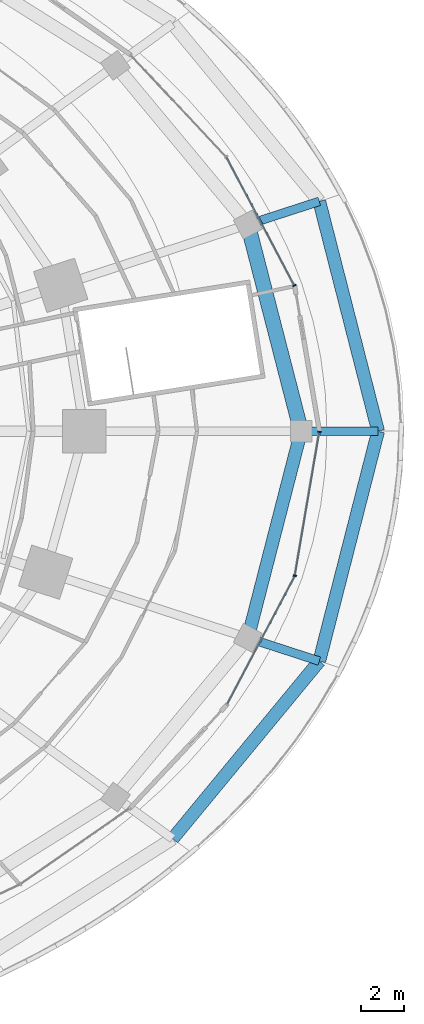
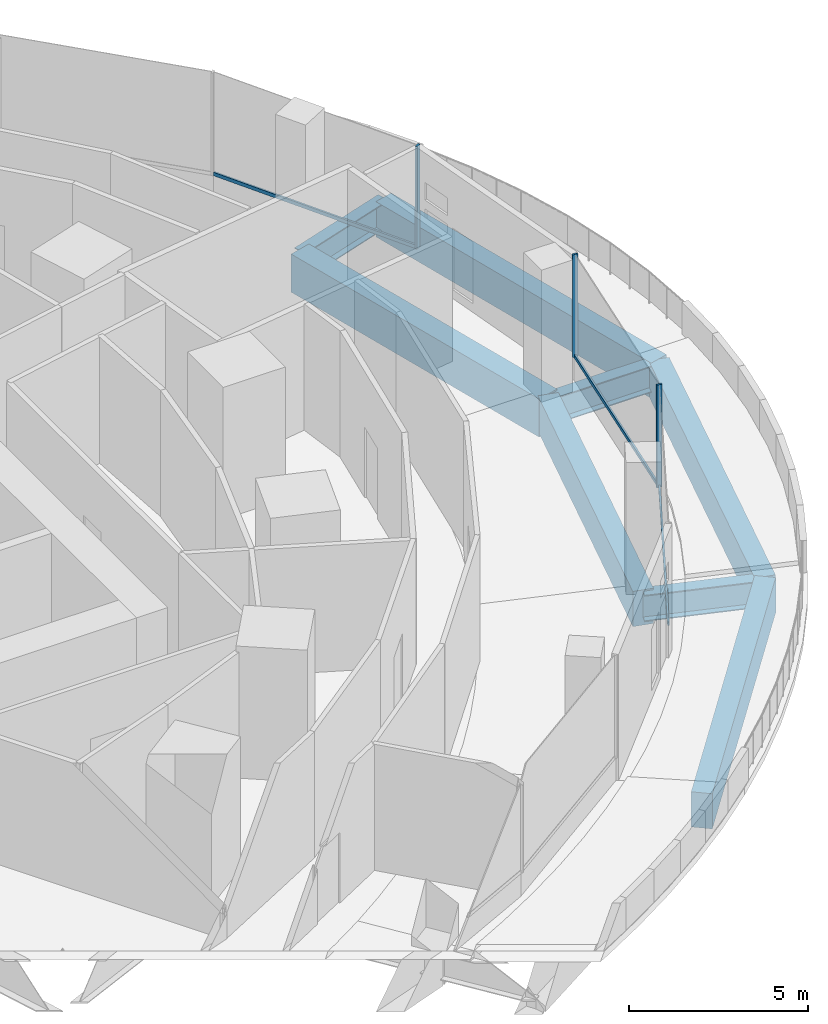
# One storey, part 13 of 26: 8 beams, 6 members, 2 elements without a shape of their own.
"""IFC4 building model written with IfcOpenShell, lengths in metres."""

from ifc_helpers import new_model, si_unit, direction, frame, origin, origin_2d, place, context, subcontext, project, spatial, rectangle, i_section, extrude, material, material_profile, profile_set, type_object, element, aggregate, save


model = new_model("IFC4")

# Units and contexts
model_context = context("Model", 3, precision=1e-05, world=origin(), true_north=direction((0.0, 1.0)))
body_context = subcontext(model_context, "Body", "Model", "MODEL_VIEW")
ifc_project = project(units=[si_unit("LENGTHUNIT", "METRE"), si_unit("AREAUNIT", "SQUARE_METRE"), si_unit("VOLUMEUNIT", "CUBIC_METRE"), si_unit("PLANEANGLEUNIT", "RADIAN"), si_unit("MASSUNIT", "GRAM", prefix="KILO")], contexts=[model_context])

# Site, building, storey
site_placement = place(None, origin())
site = spatial("IfcSite", under=ifc_project, at=site_placement, CompositionType="ELEMENT")
building_placement = place(site_placement, origin())
building = spatial("IfcBuilding", under=site, at=building_placement, Name="Marramba Exchange Tower", CompositionType="ELEMENT")
storey_placement = place(building_placement, frame((0.0, 0.0, 15.10009765625)))
storey = spatial("IfcBuildingStorey", under=building, at=storey_placement, Name="L03", CompositionType="ELEMENT", Elevation=15.10009765625)

# Beams
ifc_material_1 = material(Name="Concrete N50", Category="concrete")
ifc_material_profile_1 = material_profile(ifc_material_1, rectangle(XDim=0.60009765625, YDim=1.199951171875, at=origin_2d()), Name="RC 600x1200")
ifc_profile_set_1 = profile_set([ifc_material_profile_1], Name="Concrete N50")
beam_type_1 = type_object("IfcBeamType", Name="Edge beam RC 600x1200 N50", PredefinedType="SPANDREL", material=ifc_profile_set_1)
beam_1_placement = place(storey_placement, frame((35.52001953125, 0.0, -0.85009765625), z_axis=(-0.24788024769, 0.968790680594, 0.0), x_axis=(-0.968790680594, -0.24788024769, 0.0)))
element("IfcBeam", 1, at=beam_1_placement, inside=storey, type_object=beam_type_1, Name="Edge beam L03 P2C01", PredefinedType="SPANDREL", context=body_context, shape_type="SweptSolid", body=[
    extrude(rectangle(XDim=0.60009765625, YDim=1.199951171875, at=origin_2d()), origin(), (0.0, 0.0, 1.0), 10.99853515625),
])
beam_2_placement = place(storey_placement, frame((25.99658203125, -18.8876953125, -0.85009765625), z_axis=(0.636682264125, 0.77112625072, 0.0), x_axis=(-0.77112625072, 0.636682264125, 0.0)))
element("IfcBeam", 2, at=beam_2_placement, inside=storey, type_object=beam_type_1, Name="Edge beam L03 P2C19", PredefinedType="SPANDREL", context=body_context, shape_type="SweptSolid", body=[
    extrude(rectangle(XDim=0.60009765625, YDim=1.199951171875, at=origin_2d()), origin(), (0.0, 0.0, 1.0), 10.67578125),
])
beam_3_placement = place(storey_placement, frame((32.793701171875, -10.6552734375, -0.85009765625), z_axis=(0.24788024769, 0.968790680594, 0.0), x_axis=(-0.968790680594, 0.24788024769, 0.0)))
element("IfcBeam", 3, at=beam_3_placement, inside=storey, type_object=beam_type_1, Name="Edge beam L03 P2C20", PredefinedType="SPANDREL", context=body_context, shape_type="SweptSolid", body=[
    extrude(rectangle(XDim=0.60009765625, YDim=1.199951171875, at=origin_2d()), origin(), (0.0, 0.0, 1.0), 10.99853515625),
])
beam_4_placement = place(storey_placement, frame((29.48193359375, -9.579345703125, -0.800048828125), z_axis=(0.249492097231, 0.968376834409, 0.0), x_axis=(-0.968376834409, 0.249492097231, 0.0)))
element("IfcBeam", 4, at=beam_4_placement, inside=storey, type_object=beam_type_1, Name="Edge beam L03 P3C20", PredefinedType="SPANDREL", context=body_context, shape_type="SweptSolid", body=[
    extrude(rectangle(XDim=0.60009765625, YDim=1.199951171875, at=origin_2d()), origin(), (0.0, 0.0, 1.0), 9.89208984375),
])
ifc_material_profile_2 = material_profile(ifc_material_1, rectangle(XDim=0.699951171875, YDim=1.300048828125, at=origin_2d()), Name="RC 700x1300")
ifc_profile_set_2 = profile_set([ifc_material_profile_2], Name="Concrete N50")
beam_type_2 = type_object("IfcBeamType", Name="Edge beam RC 700x1300 N50", PredefinedType="SPANDREL", material=ifc_profile_set_2)
beam_5_placement = place(storey_placement, frame((31.949951171875, 0.0, -0.85009765625), z_axis=(-0.249492097231, 0.968376834409, 0.0), x_axis=(-0.968376834409, -0.249492097231, 0.0)))
element("IfcBeam", 5, at=beam_5_placement, inside=storey, type_object=beam_type_2, Name="Edge beam L03 P3C01", PredefinedType="SPANDREL", context=body_context, shape_type="SweptSolid", body=[
    extrude(rectangle(XDim=0.699951171875, YDim=1.300048828125, at=origin_2d()), origin(), (0.0, 0.0, 1.0), 9.89208984375),
])

# Curtain wall, member
ifc_material_2 = material(Name="Aluminium framing, bronze anodised", Category="aluminium")
curtain_wall_type = type_object("IfcCurtainWallType", Name="Podium ribbon curtain wall", PredefinedType="USERDEFINED", material=ifc_material_2)
curtain_wall_1_placement = place(storey_placement, origin())
curtain_wall_1 = element("IfcCurtainWall", 6, at=curtain_wall_1_placement, inside=storey, type_object=curtain_wall_type, Name="Curtain wall CW2 L03 F02-F03", ObjectType="RIBBON CURTAIN WALL", PredefinedType="USERDEFINED")
ifc_material_3 = material(Name="Aluminium mullion, bronze anodised", Category="aluminium")
ifc_material_profile_3 = material_profile(ifc_material_3, rectangle(XDim=0.159912109375, YDim=0.06005859375, at=origin_2d()), Name="CW2 mullion 60x160")
ifc_profile_set_3 = profile_set([ifc_material_profile_3], Name="Aluminium mullion, bronze anodised")
member_type_1 = type_object("IfcMemberType", Name="Podium ribbon curtain wall mullion", PredefinedType="MULLION", material=ifc_profile_set_3)
member_1_placement = place(storey_placement, frame((31.638916015625, 6.754638671875, 0.7998046875), z_axis=(0.0, 0.0, 1.0), x_axis=(-0.884188109553, -0.467131016872, 0.0)))
member_1 = element("IfcMember", 7, at=member_1_placement, type_object=member_type_1, Name="CW2 mullion 1", PredefinedType="MULLION", context=body_context, shape_type="SweptSolid", body=[
    extrude(rectangle(XDim=0.159912109375, YDim=0.06005859375, at=origin_2d()), origin(), (0.0, 0.0, 1.0), 3.5),
])

# Curtain wall, members
curtain_wall_2_placement = place(storey_placement, origin())
curtain_wall_2 = element("IfcCurtainWall", 8, at=curtain_wall_2_placement, inside=storey, type_object=curtain_wall_type, Name="Curtain wall CW2 L03 F29-F30", ObjectType="RIBBON CURTAIN WALL", PredefinedType="USERDEFINED")
member_2_placement = place(storey_placement, frame((31.657958984375, -6.698486328125, 0.7998046875), z_axis=(0.0, 0.0, 1.0), x_axis=(-0.985774400617, 0.168073885799, 0.0)))
member_2 = element("IfcMember", 9, at=member_2_placement, type_object=member_type_1, Name="CW2 mullion 1", PredefinedType="MULLION", context=body_context, shape_type="SweptSolid", body=[
    extrude(rectangle(XDim=0.159912109375, YDim=0.06005859375, at=origin_2d()), origin(), (0.0, 0.0, 1.0), 3.5),
])
member_3_placement = place(storey_placement, frame((32.794921875, -0.029541015625, 0.7998046875), z_axis=(0.0, 0.0, 1.0), x_axis=(-0.985774400617, 0.168073885799, 0.0)))
member_3 = element("IfcMember", 10, at=member_3_placement, type_object=member_type_1, Name="CW2 mullion 2", PredefinedType="MULLION", context=body_context, shape_type="SweptSolid", body=[
    extrude(rectangle(XDim=0.159912109375, YDim=0.06005859375, at=origin_2d()), origin(), (0.0, 0.0, 1.0), 3.5),
])

# Member
ifc_material_4 = material(Name="Aluminium transom, bronze anodised", Category="aluminium")
ifc_material_profile_4 = material_profile(ifc_material_4, rectangle(XDim=0.06005859375, YDim=0.1201171875, at=origin_2d()), Name="CW2 transom 60x120")
ifc_profile_set_4 = profile_set([ifc_material_profile_4], Name="Aluminium transom, bronze anodised")
member_type_2 = type_object("IfcMemberType", Name="Podium ribbon curtain wall transom", PredefinedType="USERDEFINED", material=ifc_profile_set_4)
member_4_placement = place(storey_placement, frame((31.624755859375, 6.781005859375, 0.829833984375), z_axis=(-0.467105406481, 0.884201639467, 0.0), x_axis=(-0.884201639467, -0.467105406481, 0.0)))
member_4 = element("IfcMember", 11, at=member_4_placement, type_object=member_type_2, Name="CW2 sill transom", ObjectType="TRANSOM", PredefinedType="USERDEFINED", context=body_context, shape_type="SweptSolid", body=[
    extrude(rectangle(XDim=0.06005859375, YDim=0.1201171875, at=origin_2d()), origin(), (0.0, 0.0, 1.0), 6.683349609375),
])

aggregate(curtain_wall_1, [member_1, member_4])

member_5_placement = place(storey_placement, frame((28.531005859375, -12.63720703125, 0.829833984375), z_axis=(0.467120494232, 0.884193668756, 0.0), x_axis=(-0.884193668756, 0.467120494232, 0.0)))
member_5 = element("IfcMember", 12, at=member_5_placement, type_object=member_type_2, Name="CW2 sill transom", ObjectType="TRANSOM", PredefinedType="USERDEFINED", context=body_context, shape_type="SweptSolid", body=[
    extrude(rectangle(XDim=0.06005859375, YDim=0.1201171875, at=origin_2d()), origin(), (0.0, 0.0, 1.0), 6.68310546875),
])

member_6_placement = place(storey_placement, frame((31.662841796875, -6.6689453125, 0.829833984375), z_axis=(0.168070377281, 0.985774998811, 0.0), x_axis=(-0.985774998811, 0.168070377281, 0.0)))
member_6 = element("IfcMember", 13, at=member_6_placement, type_object=member_type_2, Name="CW2 sill transom", ObjectType="TRANSOM", PredefinedType="USERDEFINED", context=body_context, shape_type="SweptSolid", body=[
    extrude(rectangle(XDim=0.06005859375, YDim=0.1201171875, at=origin_2d()), origin(), (0.0, 0.0, 1.0), 6.705322265625),
])

aggregate(curtain_wall_2, [member_5, member_2, member_3, member_6])

# Beams
ifc_material_5 = material(Name="Steel AS/NZS 3679.2 grade 300", Category="steel")
ifc_material_profile_5 = material_profile(ifc_material_5, i_section(OverallWidth=0.39990234375, OverallDepth=0.89990234375, WebThickness=0.01611328125, FlangeThickness=0.031982421875, at=origin_2d()), Name="900WB282")
ifc_profile_set_5 = profile_set([ifc_material_profile_5], Name="Steel AS/NZS 3679.2 grade 300")
beam_type_3 = type_object("IfcBeamType", Name="Radial girder 900WB282", PredefinedType="BEAM", material=ifc_profile_set_5)
beam_6_placement = place(storey_placement, frame((35.52001953125, 0.0, -0.7001953125), z_axis=(-1.0, 0.0, 0.0), x_axis=(0.0, -1.0, 0.0)))
element("IfcBeam", 14, at=beam_6_placement, inside=storey, type_object=beam_type_3, Name="Radial girder L03 P2C01", PredefinedType="BEAM", context=body_context, shape_type="SweptSolid", body=[
    extrude(i_section(OverallWidth=0.39990234375, OverallDepth=0.89990234375, WebThickness=0.01611328125, FlangeThickness=0.031982421875, at=origin_2d()), origin(), (0.0, 0.0, 1.0), 3.570068359375),
])
for number, where, z_axis, x_axis, name in (
    (15, (32.793701171875, 10.6552734375, -0.7001953125), (-0.951067553557, -0.308983023113, 0.0), (0.308983023113, -0.951067553557, 0.0), "Radial girder L03 P2C02"),
    (16, (32.793701171875, -10.6552734375, -0.7001953125), (-0.951067553557, 0.308983023113, 0.0), (-0.308983023113, -0.951067553557, 0.0), "Radial girder L03 P2C20"),
):
    element("IfcBeam", number, at=place(storey_placement, frame(where, z_axis=z_axis, x_axis=x_axis)), inside=storey, type_object=beam_type_3, Name=name, PredefinedType="BEAM", context=body_context, shape_type="SweptSolid", body=[
        extrude(i_section(OverallWidth=0.39990234375, OverallDepth=0.89990234375, WebThickness=0.01611328125, FlangeThickness=0.031982421875, at=origin_2d()), origin(), (0.0, 0.0, 1.0), 3.482177734375),
    ])

save(model, "model.ifc")
